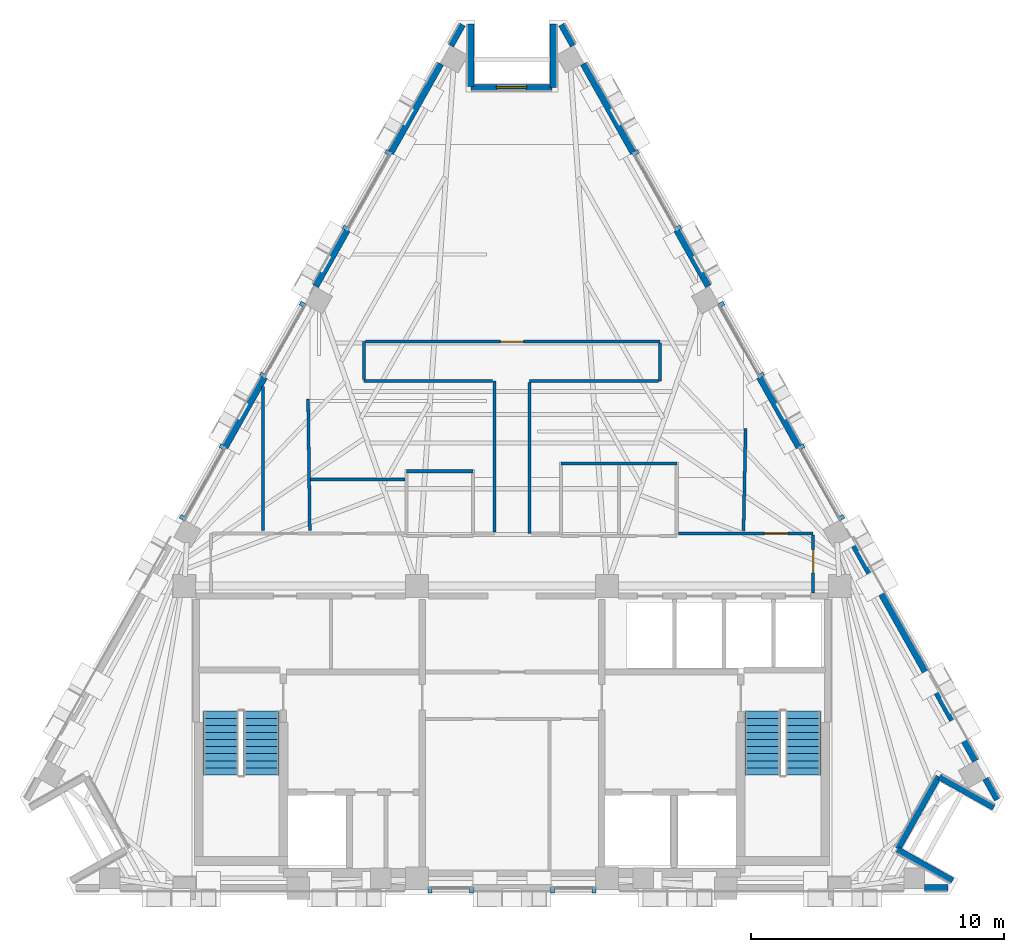
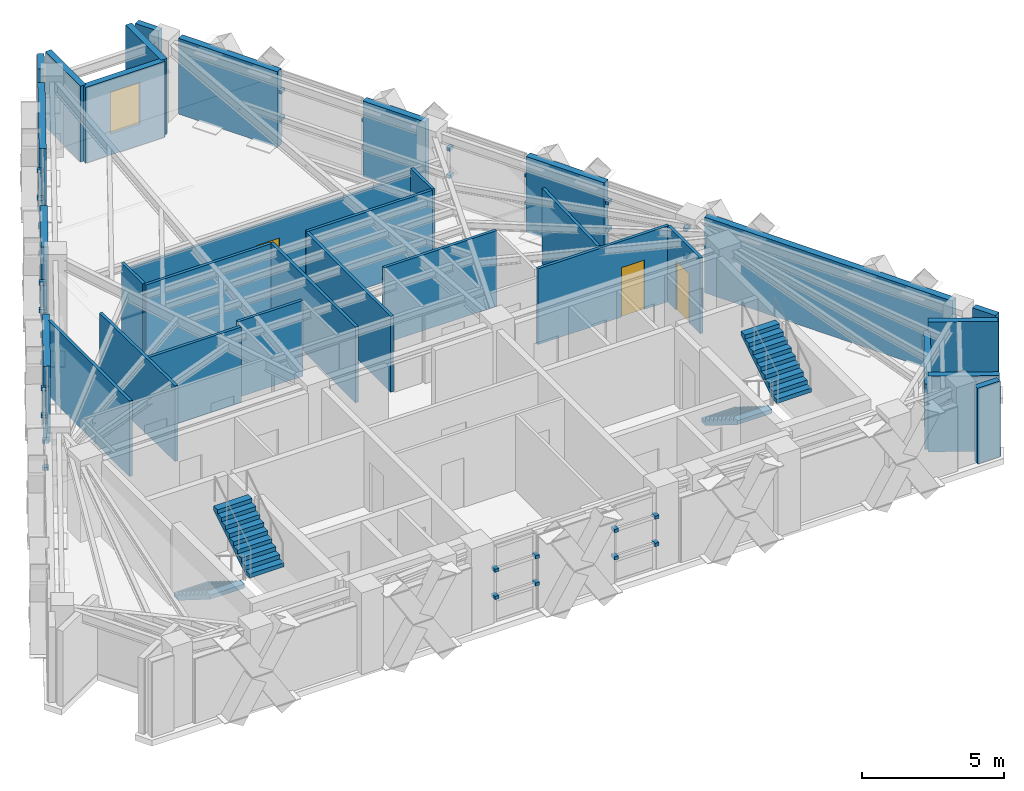
# One storey, part 8 of 11: 32 discrete accessories, 32 walls, 4 stair flights, 3 doors, 1 window, 4 openings, 2 elements without a shape of their own.
"""IFC4 building model written with IfcOpenShell, lengths in metres."""

from ifc_helpers import new_model, si_unit, direction, frame, frame_2d, origin, origin_2d, place, context, subcontext, project, spatial, polyline, rectangle, outline, extrude, material, layer, layer_set, type_object, element, fill, aggregate, save


model = new_model("IFC4")

# Units and contexts
model_context = context("Model", 3, precision=1e-05, world=origin(), true_north=direction((0.0, 1.0)))
body_context = subcontext(model_context, "Body", "Model", "MODEL_VIEW")
ifc_project = project(units=[si_unit("LENGTHUNIT", "METRE"), si_unit("AREAUNIT", "SQUARE_METRE"), si_unit("VOLUMEUNIT", "CUBIC_METRE"), si_unit("PLANEANGLEUNIT", "RADIAN"), si_unit("MASSUNIT", "GRAM", prefix="KILO")], contexts=[model_context])

# Site, building, storey
site_placement = place(None, origin())
site = spatial("IfcSite", under=ifc_project, at=site_placement, CompositionType="ELEMENT")
building_placement = place(site_placement, origin())
building = spatial("IfcBuilding", under=site, at=building_placement, Name="Quenlor Broadcast Tower", CompositionType="ELEMENT")
storey_placement = place(building_placement, frame((0.0, 0.0, 253.39990234375)))
storey = spatial("IfcBuildingStorey", under=building, at=storey_placement, Name="L70", CompositionType="ELEMENT", Elevation=253.39990234375)

# Walls
ifc_material_1 = material(Name="Gypsum Plasterboard Partition", Category="other")
ifc_layer_1 = layer(ifc_material_1, 0.1201171875)
ifc_layer_set_1 = layer_set([ifc_layer_1], Name="Standard Office Partition 120")
wall_type_1 = type_object("IfcWallType", Name="Standard Office Partition 120", PredefinedType="PARTITIONING", material=ifc_layer_set_1)
wall_1_placement = place(storey_placement, frame((-4.159912109375, -0.27001953125, 0.0), z_axis=(0.0, 0.0, 1.0), x_axis=(1.0, 0.0, 0.0)))
element("IfcWall", 1, at=wall_1_placement, inside=storey, type_object=wall_type_1, Name="L70 Interior Wall PW-AWC-N", PredefinedType="PARTITIONING", context=body_context, shape_type="SweptSolid", body=[
    extrude(rectangle(XDim=2.619873046875, YDim=0.1201171875, at=frame_2d((1.31005859375, 0.0))), origin(), (0.0, 0.0, 1.0), 3.25),
])
wall_2_placement = place(storey_placement, frame((1.93994140625, 0.030029296875, 0.0), z_axis=(0.0, 0.0, 1.0), x_axis=(1.0, 0.0, 0.0)))
element("IfcWall", 2, at=wall_2_placement, inside=storey, type_object=wall_type_1, Name="L70 Interior Wall PW-WC-N", PredefinedType="PARTITIONING", context=body_context, shape_type="SweptSolid", body=[
    extrude(rectangle(XDim=4.570068359375, YDim=0.1201171875, at=frame_2d((2.28515625, 0.0))), origin(), (0.0, 0.0, 1.0), 3.25),
])
wall_3_placement = place(storey_placement, frame((-0.699951171875, -2.66796875, 0.0), z_axis=(0.0, 0.0, 1.0), x_axis=(0.0, 1.0, 0.0)))
element("IfcWall", 3, at=wall_3_placement, inside=storey, type_object=wall_type_1, Name="L70 Interior Wall PW-CR-05", PredefinedType="PARTITIONING", context=body_context, shape_type="SweptSolid", body=[
    extrude(rectangle(XDim=5.968017578125, YDim=0.1201171875, at=frame_2d((2.98388671875, 0.0))), origin(), (0.0, 0.0, 1.0), 3.25),
])
wall_4_placement = place(storey_placement, frame((-0.761962890625, 3.300048828125, 0.0), z_axis=(0.0, 0.0, 1.0), x_axis=(-1.0, 0.0, 0.0)))
element("IfcWall", 4, at=wall_4_placement, inside=storey, type_object=wall_type_1, Name="L70 Interior Wall PW-CR-06", PredefinedType="PARTITIONING", context=body_context, shape_type="SweptSolid", body=[
    extrude(rectangle(XDim=5.088134765625, YDim=0.1201171875, at=frame_2d((2.5439453125, 0.0))), origin(), (0.0, 0.0, 1.0), 3.25),
])
wall_5_placement = place(storey_placement, frame((-5.85009765625, 3.362060546875, 0.0), z_axis=(0.0, 0.0, 1.0), x_axis=(0.0, 1.0, 0.0)))
element("IfcWall", 5, at=wall_5_placement, inside=storey, type_object=wall_type_1, Name="L70 Interior Wall PW-CR-07", PredefinedType="PARTITIONING", context=body_context, shape_type="SweptSolid", body=[
    extrude(rectangle(XDim=1.488037109375, YDim=0.1201171875, at=frame_2d((0.744140625, 0.0))), origin(), (0.0, 0.0, 1.0), 3.25),
])

# Wall, opening, door
wall_6_placement = place(storey_placement, frame((-5.7880859375, 4.85009765625, 0.0), z_axis=(0.0, 0.0, 1.0), x_axis=(1.0, 0.0, 0.0)))
wall_6 = element("IfcWall", 6, at=wall_6_placement, inside=storey, type_object=wall_type_1, Name="L70 Interior Wall PW-CR-08", PredefinedType="PARTITIONING", context=body_context, shape_type="SweptSolid", body=[
    extrude(rectangle(XDim=11.63818359375, YDim=0.1201171875, at=frame_2d((5.819091796875, 0.0))), origin(), (0.0, 0.0, 1.0), 2.94287109375),
])
opening_1_placement = place(wall_6_placement, frame((5.327880859375, 0.0, 0.0)))
opening_1 = element("IfcOpeningElement", 7, at=opening_1_placement, cuts=wall_6, Name="Opening ID-1", PredefinedType="OPENING", context=body_context, shape_type="SweptSolid", body=[
    extrude(rectangle(XDim=0.919921875, YDim=2.1201171875, at=frame_2d((0.4599609375, 1.06005859375))), frame((0.0, 0.070068359375, 0.0), z_axis=(0.0, -1.0, 0.0), x_axis=(1.0, 0.0, 0.0)), (0.0, 0.0, 1.0), 0.14013671875),
])
ifc_material_2 = material(Name="Solid Core Timber Oak", Category="wood")
door_type = type_object("IfcDoorType", Name="Single Leaf Timber Office Door 920x2120", OperationType="NOTDEFINED", PredefinedType="DOOR", material=ifc_material_2)
door_1_placement = place(opening_1_placement, origin())
door_1 = element("IfcDoor", 8, at=door_1_placement, inside=storey, type_object=door_type, Name="L70 Door DR-RM01", OperationType="SINGLE_SWING_LEFT", OverallHeight=2.1201171875, OverallWidth=0.919921875, PredefinedType="DOOR", context=body_context, shape_type="SweptSolid", body=[
    extrude(rectangle(XDim=0.919921875, YDim=2.1201171875, at=frame_2d((0.4599609375, 1.06005859375))), frame((0.0, 0.02490234375, 0.0), z_axis=(0.0, -1.0, 0.0), x_axis=(1.0, 0.0, 0.0)), (0.0, 0.0, 1.0), 0.050048828125),
])
fill(opening_1, door_1)

# Walls
wall_7_placement = place(storey_placement, frame((5.85009765625, 4.7880859375, 0.0), z_axis=(0.0, 0.0, 1.0), x_axis=(0.0, -1.0, 0.0)))
element("IfcWall", 9, at=wall_7_placement, inside=storey, type_object=wall_type_1, Name="L70 Interior Wall PW-CR-09", PredefinedType="PARTITIONING", context=body_context, shape_type="SweptSolid", body=[
    extrude(rectangle(XDim=1.488037109375, YDim=0.1201171875, at=frame_2d((0.744140625, 0.0))), origin(), (0.0, 0.0, 1.0), 3.25),
])
wall_8_placement = place(storey_placement, frame((5.7880859375, 3.300048828125, 0.0), z_axis=(0.0, 0.0, 1.0), x_axis=(-1.0, 0.0, 0.0)))
element("IfcWall", 10, at=wall_8_placement, inside=storey, type_object=wall_type_1, Name="L70 Interior Wall PW-CR-10", PredefinedType="PARTITIONING", context=body_context, shape_type="SweptSolid", body=[
    extrude(rectangle(XDim=5.088134765625, YDim=0.1201171875, at=frame_2d((2.5439453125, 0.0))), origin(), (0.0, 0.0, 1.0), 3.25),
])
wall_9_placement = place(storey_placement, frame((0.699951171875, 3.238037109375, 0.0), z_axis=(0.0, 0.0, 1.0), x_axis=(0.0, -1.0, 0.0)))
element("IfcWall", 11, at=wall_9_placement, inside=storey, type_object=wall_type_1, Name="L70 Interior Wall PW-CR-11", PredefinedType="PARTITIONING", context=body_context, shape_type="SweptSolid", body=[
    extrude(rectangle(XDim=5.968017578125, YDim=0.1201171875, at=frame_2d((2.98388671875, 0.0))), origin(), (0.0, 0.0, 1.0), 3.25),
])

# Wall, opening, door
wall_10_placement = place(storey_placement, frame((6.572021484375, -2.72998046875, 0.0), z_axis=(0.0, 0.0, 1.0), x_axis=(1.0, 0.0, 0.0)))
wall_10 = element("IfcWall", 12, at=wall_10_placement, inside=storey, type_object=wall_type_1, Name="L70 Interior Wall PW-CR-14", PredefinedType="PARTITIONING", context=body_context, shape_type="SweptSolid", body=[
    extrude(rectangle(XDim=5.327880859375, YDim=0.1201171875, at=frame_2d((2.6640625, 0.0))), origin(), (0.0, 0.0, 1.0), 3.25),
])
opening_2_placement = place(wall_10_placement, frame((3.404052734375, 0.0, 0.0)))
opening_2 = element("IfcOpeningElement", 13, at=opening_2_placement, cuts=wall_10, Name="Opening ID-1", PredefinedType="OPENING", context=body_context, shape_type="SweptSolid", body=[
    extrude(rectangle(XDim=0.919921875, YDim=2.1201171875, at=frame_2d((0.4599609375, 1.06005859375))), frame((0.0, 0.070068359375, 0.0), z_axis=(0.0, -1.0, 0.0), x_axis=(1.0, 0.0, 0.0)), (0.0, 0.0, 1.0), 0.14013671875),
])
door_2_placement = place(opening_2_placement, origin())
door_2 = element("IfcDoor", 14, at=door_2_placement, inside=storey, type_object=door_type, Name="L70 Door DR-RM03", OperationType="SINGLE_SWING_LEFT", OverallHeight=2.1201171875, OverallWidth=0.919921875, PredefinedType="DOOR", context=body_context, shape_type="SweptSolid", body=[
    extrude(rectangle(XDim=0.919921875, YDim=2.1201171875, at=frame_2d((0.4599609375, 1.06005859375))), frame((0.0, 0.02490234375, 0.0), z_axis=(0.0, -1.0, 0.0), x_axis=(1.0, 0.0, 0.0)), (0.0, 0.0, 1.0), 0.050048828125),
])
fill(opening_2, door_2)

wall_11_placement = place(storey_placement, frame((11.89990234375, -2.7919921875, 0.0), z_axis=(0.0, 0.0, 1.0), x_axis=(0.0, -1.0, 0.0)))
wall_11 = element("IfcWall", 15, at=wall_11_placement, inside=storey, type_object=wall_type_1, Name="L70 Interior Wall PW-CR-15", PredefinedType="PARTITIONING", context=body_context, shape_type="SweptSolid", body=[
    extrude(rectangle(XDim=2.281005859375, YDim=0.1201171875, at=frame_2d((1.140625, 0.0))), origin(), (0.0, 0.0, 1.0), 3.25),
])
opening_3_placement = place(wall_11_placement, frame((0.577880859375, 0.0, 0.0)))
opening_3 = element("IfcOpeningElement", 16, at=opening_3_placement, cuts=wall_11, Name="Opening ID-1", PredefinedType="OPENING", context=body_context, shape_type="SweptSolid", body=[
    extrude(rectangle(XDim=0.919921875, YDim=2.1201171875, at=frame_2d((0.4599609375, 1.06005859375))), frame((0.0, 0.070068359375, 0.0), z_axis=(0.0, -1.0, 0.0), x_axis=(1.0, 0.0, 0.0)), (0.0, 0.0, 1.0), 0.14013671875),
])
door_3_placement = place(opening_3_placement, origin())
door_3 = element("IfcDoor", 17, at=door_3_placement, inside=storey, type_object=door_type, Name="L70 Door DR-RM06", OperationType="SINGLE_SWING_RIGHT", OverallHeight=2.1201171875, OverallWidth=0.919921875, PredefinedType="DOOR", context=body_context, shape_type="SweptSolid", body=[
    extrude(rectangle(XDim=0.919921875, YDim=2.1201171875, at=frame_2d((0.4599609375, 1.06005859375))), frame((0.0, 0.02490234375, 0.0), z_axis=(0.0, -1.0, 0.0), x_axis=(1.0, 0.0, 0.0)), (0.0, 0.0, 1.0), 0.050048828125),
])
fill(opening_3, door_3)

# Walls
wall_12_placement = place(storey_placement, frame((-7.988525390625, -2.6201171875, 0.0), z_axis=(0.0, 0.0, 1.0), x_axis=(-0.013050531691, 0.999914838185, 0.0)))
element("IfcWall", 18, at=wall_12_placement, inside=storey, type_object=wall_type_1, Name="L70 Interior Wall PW-DV-01", PredefinedType="PARTITIONING", context=body_context, shape_type="SweptSolid", body=[
    extrude(rectangle(XDim=5.20068359375, YDim=0.1201171875, at=frame_2d((2.600341796875, 0.0))), origin(), (0.0, 0.0, 1.0), 3.25),
])
wall_13_placement = place(storey_placement, frame((9.232177734375, 1.419921875, 0.0), z_axis=(0.0, 0.0, 1.0), x_axis=(-0.020904302181, -0.9997814812, 0.0)))
element("IfcWall", 19, at=wall_13_placement, inside=storey, type_object=wall_type_1, Name="L70 Interior Wall PW-DV-02", PredefinedType="PARTITIONING", context=body_context, shape_type="SweptSolid", body=[
    extrude(rectangle(XDim=4.041015625, YDim=0.1201171875, at=frame_2d((2.0205078125, 0.0))), origin(), (0.0, 0.0, 1.0), 3.25),
])
wall_14_placement = place(storey_placement, frame((-4.221923828125, -0.59326171875, 0.0), z_axis=(0.0, 0.0, 1.0), x_axis=(-1.0, 0.0, 0.0)))
element("IfcWall", 20, at=wall_14_placement, inside=storey, type_object=wall_type_1, Name="L70 Interior Wall PW-DV-03", PredefinedType="PARTITIONING", context=body_context, shape_type="SweptSolid", body=[
    extrude(rectangle(XDim=3.73095703125, YDim=0.1201171875, at=frame_2d((1.865478515625, 0.0))), origin(), (0.0, 0.0, 1.0), 3.25),
])
wall_15_placement = place(storey_placement, frame((-9.837890625, -2.6201171875, 0.0), z_axis=(0.0, 0.0, 1.0), x_axis=(0.0, 1.0, 0.0)))
element("IfcWall", 21, at=wall_15_placement, inside=storey, type_object=wall_type_1, Name="L70 Interior Wall PW-DV-05", PredefinedType="PARTITIONING", context=body_context, shape_type="SweptSolid", body=[
    extrude(rectangle(XDim=5.700439453125, YDim=0.1201171875, at=frame_2d((2.85009765625, 0.0))), origin(), (0.0, 0.0, 1.0), 3.25),
])
ifc_material_3 = material(Name="Precast concrete C40/50", Category="concrete")
ifc_layer_2 = layer(ifc_material_3, 0.239990234375)
ifc_layer_set_2 = layer_set([ifc_layer_2], Name="Terrace Threshold Precast Concrete C40/50 Wall 240")
wall_type_2 = type_object("IfcWallType", Name="Terrace Threshold Precast Concrete C40/50 Wall 240", PredefinedType="STANDARD", material=ifc_layer_set_2)
wall_16_placement = place(storey_placement, frame((17.219970703125, -16.72509765625, 0.0), z_axis=(0.0, 0.0, 1.0), x_axis=(-1.0, 0.0, 0.0)))
element("IfcWall", 22, at=wall_16_placement, inside=storey, type_object=wall_type_2, Name="L70 Exterior Wall L70-SHD-SS0", PredefinedType="STANDARD", context=body_context, shape_type="SweptSolid", body=[
    extrude(rectangle(XDim=0.91748046875, YDim=0.239990234375, at=frame_2d((0.458740234375, 0.0))), origin(), (0.0, 0.0, 1.0), 3.25),
])
for number, where, z_axis, x_axis, name in (
    (23, (1.94970703125, 17.372802734375, 0.0), (0.0, 0.0, 1.0), (0.490199895283, -0.871610040479, 0.0), "L70 Exterior Wall L70-SHD-NES0"),
    (24, (18.707763671875, -12.4189453125, 0.0), (0.0, 0.0, 1.0), (0.490199895283, -0.871610040479, 0.0), "L70 Exterior Wall L70-SHD-NES1"),
    (25, (-2.412841796875, 16.54931640625, 0.0), (0.0, 0.0, 1.0), (0.490199895283, 0.871610040479, 0.0), "L70 Exterior Wall L70-SHD-NWS1"),
):
    element("IfcWall", number, at=place(storey_placement, frame(where, z_axis=z_axis, x_axis=x_axis)), inside=storey, type_object=wall_type_2, Name=name, PredefinedType="STANDARD", context=body_context, shape_type="SweptSolid", body=[
        extrude(rectangle(XDim=0.94482421875, YDim=0.239990234375, at=frame_2d((0.472412109375, 0.0))), origin(), (0.0, 0.0, 1.0), 3.25),
    ])
wall_17_placement = place(storey_placement, frame((17.40771484375, -16.446533203125, 0.0), z_axis=(0.0, 0.0, 1.0), x_axis=(-0.871588577066, 0.490238056792, 0.0)))
element("IfcWall", 26, at=wall_17_placement, inside=storey, type_object=wall_type_2, Name="L70 Exterior Wall L70-CNR-01", PredefinedType="STANDARD", context=body_context, shape_type="SweptSolid", body=[
    extrude(rectangle(XDim=2.5, YDim=0.239990234375, at=frame_2d((1.25, 0.0))), origin(), (0.0, 0.0, 1.0), 3.25),
])
wall_18_placement = place(storey_placement, frame((15.248291015625, -15.18603515625, 0.0), z_axis=(0.0, 0.0, 1.0), x_axis=(0.490293083368, 0.871557624258, 0.0)))
element("IfcWall", 27, at=wall_18_placement, inside=storey, type_object=wall_type_2, Name="L70 Exterior Wall L70-CNR-02", PredefinedType="STANDARD", context=body_context, shape_type="SweptSolid", body=[
    extrude(rectangle(XDim=3.276123046875, YDim=0.239990234375, at=frame_2d((1.63818359375, 0.0))), origin(), (0.0, 0.0, 1.0), 2.789794921875),
])
wall_19_placement = place(storey_placement, frame((16.889404296875, -12.350341796875, 0.0), z_axis=(0.0, 0.0, 1.0), x_axis=(0.87157023615, -0.490270663468, 0.0)))
element("IfcWall", 28, at=wall_19_placement, inside=storey, type_object=wall_type_2, Name="L70 Exterior Wall L70-CNR-03", PredefinedType="STANDARD", context=body_context, shape_type="SweptSolid", body=[
    extrude(rectangle(XDim=2.4599609375, YDim=0.239990234375, at=frame_2d((1.22998046875, 0.0))), origin(), (0.0, 0.0, 1.0), 3.25),
])
wall_20_placement = place(storey_placement, frame((1.62890625, 17.39990234375, 0.0), z_axis=(0.0, 0.0, 1.0), x_axis=(0.0, -1.0, 0.0)))
element("IfcWall", 29, at=wall_20_placement, inside=storey, type_object=wall_type_2, Name="L70 Exterior Wall L70-CNR-07", PredefinedType="STANDARD", context=body_context, shape_type="SweptSolid", body=[
    extrude(rectangle(XDim=2.5, YDim=0.239990234375, at=frame_2d((1.25, 0.0))), origin(), (0.0, 0.0, 1.0), 3.25),
])

# Wall, opening, window
wall_21_placement = place(storey_placement, frame((1.5888671875, 14.89990234375, 0.0), z_axis=(0.0, 0.0, 1.0), x_axis=(-1.0, 0.0, 0.0)))
wall_21 = element("IfcWall", 30, at=wall_21_placement, inside=storey, type_object=wall_type_2, Name="L70 Exterior Wall L70-CNR-08", PredefinedType="STANDARD", context=body_context, shape_type="SweptSolid", body=[
    extrude(rectangle(XDim=3.2177734375, YDim=0.239990234375, at=frame_2d((1.60888671875, 0.0))), origin(), (0.0, 0.0, 1.0), 3.25),
])
opening_4_placement = place(wall_21_placement, frame((1.009033203125, 0.0, 0.89990234375)))
opening_4 = element("IfcOpeningElement", 31, at=opening_4_placement, cuts=wall_21, Name="Opening WN-5", PredefinedType="OPENING", context=body_context, shape_type="SweptSolid", body=[
    extrude(rectangle(XDim=1.199951171875, YDim=1.800048828125, at=frame_2d((0.60009765625, 0.89990234375))), frame((0.0, 0.1298828125, 0.0), z_axis=(0.0, -1.0, 0.0), x_axis=(1.0, 0.0, 0.0)), (0.0, 0.0, 1.0), 0.260009765625),
])
ifc_material_4 = material(Name="Thermally Broken Aluminium and Low-E Glass", Category="aluminium")
window_type = type_object("IfcWindowType", Name="Corner Chamfer Punched Window 1200x1800", PartitioningType="SINGLE_PANEL", PredefinedType="WINDOW", material=ifc_material_4)
window_placement = place(opening_4_placement, origin())
window = element("IfcWindow", 32, at=window_placement, inside=storey, type_object=window_type, Name="L70 Corner Chamfer Window 8", OverallHeight=1.800048828125, OverallWidth=1.199951171875, PartitioningType="SINGLE_PANEL", PredefinedType="WINDOW", context=body_context, shape_type="SweptSolid", body=[
    extrude(rectangle(XDim=1.199951171875, YDim=1.800048828125, at=frame_2d((0.60009765625, 0.89990234375))), frame((0.0, 0.030029296875, 0.0), z_axis=(0.0, -1.0, 0.0), x_axis=(1.0, 0.0, 0.0)), (0.0, 0.0, 1.0), 0.06005859375),
])
fill(opening_4, window)

# Walls
wall_22_placement = place(storey_placement, frame((-1.62890625, 14.93994140625, 0.0), z_axis=(0.0, 0.0, 1.0), x_axis=(0.0, 1.0, 0.0)))
element("IfcWall", 33, at=wall_22_placement, inside=storey, type_object=wall_type_2, Name="L70 Exterior Wall L70-CNR-09", PredefinedType="STANDARD", context=body_context, shape_type="SweptSolid", body=[
    extrude(rectangle(XDim=2.4599609375, YDim=0.239990234375, at=frame_2d((1.22998046875, 0.0))), origin(), (0.0, 0.0, 1.0), 3.25),
])
ifc_material_5 = material(Name="Precast concrete C40/50", Category="concrete")
ifc_layer_3 = layer(ifc_material_5, 0.260009765625)
ifc_layer_set_3 = layer_set([ifc_layer_3], Name="Terracotta Precast Concrete C40/50 Upper Wall 260")
wall_type_3 = type_object("IfcWallType", Name="Terracotta Precast Concrete C40/50 Upper Wall 260", PredefinedType="STANDARD", material=ifc_layer_set_3)
wall_23_placement = place(storey_placement, frame((2.81982421875, 15.825927734375, 0.0), z_axis=(0.0, 0.0, 1.0), x_axis=(0.490307113915, -0.871549731251, 0.0)))
element("IfcWall", 34, at=wall_23_placement, inside=storey, type_object=wall_type_3, Name="L70 Exterior Wall L70-NEA-SP1", PredefinedType="STANDARD", context=body_context, shape_type="SweptSolid", body=[
    extrude(rectangle(XDim=4.042724609375, YDim=0.260009765625, at=frame_2d((2.021484375, 0.0))), origin(), (0.0, 0.0, 1.0), 3.25),
])
wall_24_placement = place(storey_placement, frame((6.509521484375, 9.266357421875, 0.0), z_axis=(0.0, 0.0, 1.0), x_axis=(0.490333959365, -0.871534628281, 0.0)))
element("IfcWall", 35, at=wall_24_placement, inside=storey, type_object=wall_type_3, Name="L70 Exterior Wall L70-NEA-SP2", PredefinedType="STANDARD", context=body_context, shape_type="SweptSolid", body=[
    extrude(rectangle(XDim=2.55029296875, YDim=0.260009765625, at=frame_2d((1.275146484375, 0.0))), origin(), (0.0, 0.0, 1.0), 3.25),
])
wall_25_placement = place(storey_placement, frame((13.350830078125, -2.895751953125, 0.0), z_axis=(0.0, 0.0, 1.0), x_axis=(0.490266968583, -0.871572314565, 0.0)))
element("IfcWall", 36, at=wall_25_placement, inside=storey, type_object=wall_type_3, Name="L70 Exterior Wall L70-EW-NEC", PredefinedType="STANDARD", context=body_context, shape_type="SweptSolid", body=[
    extrude(rectangle(XDim=10.116455078125, YDim=0.260009765625, at=frame_2d((5.05810546875, 0.0))), origin(), (0.0, 0.0, 1.0), 3.25),
])
wall_26_placement = place(storey_placement, frame((9.779296875, 3.45361328125, 0.0), z_axis=(0.0, 0.0, 1.0), x_axis=(0.490268515903, -0.871571444182, 0.0)))
element("IfcWall", 37, at=wall_26_placement, inside=storey, type_object=wall_type_3, Name="L70 Exterior Wall L70-NE-SP1", PredefinedType="STANDARD", context=body_context, shape_type="SweptSolid", body=[
    extrude(rectangle(XDim=3.18603515625, YDim=0.260009765625, at=frame_2d((1.593017578125, 0.0))), origin(), (0.0, 0.0, 1.0), 3.25),
])
wall_27_placement = place(storey_placement, frame((-7.760009765625, 7.043701171875, 0.0), z_axis=(0.0, 0.0, 1.0), x_axis=(0.490333959365, 0.871534628281, 0.0)))
element("IfcWall", 38, at=wall_27_placement, inside=storey, type_object=wall_type_3, Name="L70 Exterior Wall L70-NWC-SP1", PredefinedType="STANDARD", context=body_context, shape_type="SweptSolid", body=[
    extrude(rectangle(XDim=2.55029296875, YDim=0.260009765625, at=frame_2d((1.275146484375, 0.0))), origin(), (0.0, 0.0, 1.0), 3.25),
])
wall_28_placement = place(storey_placement, frame((-4.802001953125, 12.302490234375, 0.0), z_axis=(0.0, 0.0, 1.0), x_axis=(0.490307113915, 0.871549731251, 0.0)))
element("IfcWall", 39, at=wall_28_placement, inside=storey, type_object=wall_type_3, Name="L70 Exterior Wall L70-NWC-SP2", PredefinedType="STANDARD", context=body_context, shape_type="SweptSolid", body=[
    extrude(rectangle(XDim=4.042724609375, YDim=0.260009765625, at=frame_2d((2.021484375, 0.0))), origin(), (0.0, 0.0, 1.0), 3.25),
])
wall_29_placement = place(storey_placement, frame((-11.34130859375, 0.6767578125, 0.0), z_axis=(0.0, 0.0, 1.0), x_axis=(0.490268515903, 0.871571444182, 0.0)))
element("IfcWall", 40, at=wall_29_placement, inside=storey, type_object=wall_type_3, Name="L70 Exterior Wall L70-NW-SP1", PredefinedType="STANDARD", context=body_context, shape_type="SweptSolid", body=[
    extrude(rectangle(XDim=3.18603515625, YDim=0.260009765625, at=frame_2d((1.593017578125, 0.0))), origin(), (0.0, 0.0, 1.0), 3.25),
])

# Stair, stair flights
ifc_material_6 = material(Name="Precast concrete C40/50", Category="concrete")
stair_type = type_object("IfcStairType", Name="Precast Concrete C40/50 Dogleg Stair H350", PredefinedType="HALF_TURN_STAIR", material=ifc_material_6)
stair_1_placement = place(storey_placement, origin())
stair_1 = element("IfcStair", 41, at=stair_1_placement, inside=storey, type_object=stair_type, Name="L70 West Core Fire-Isolated Exit Stair ST-1", PredefinedType="HALF_TURN_STAIR")
ifc_material_7 = material(Name="Precast concrete C40/50", Category="concrete")
ifc_layer_4 = layer(ifc_material_7, 0.159912109375)
ifc_layer_set_4 = layer_set([ifc_layer_4], Name="Precast Concrete C40/50 Stair Flight H350")
stair_flight_type = type_object("IfcStairFlightType", Name="Precast Concrete C40/50 Stair Flight H350", PredefinedType="STRAIGHT", material=ifc_layer_set_4)
stair_flight_1_placement = place(storey_placement, frame((-11.5, -9.75, 0.0), z_axis=(0.0, 0.0, 1.0), x_axis=(0.0, -1.0, 0.0)))
stair_flight_1 = element("IfcStairFlight", 42, at=stair_flight_1_placement, type_object=stair_flight_type, Name="ST-1 flight 1", NumberOfRisers=10, NumberOfTreads=9, PredefinedType="STRAIGHT", RiserHeight=0.175, TreadLength=0.28, context=body_context, shape_type="SweptSolid", body=[
    extrude(outline(polyline([(0.0, 0.0), (0.0, 0.175048828125), (0.280029296875, 0.175048828125), (0.280029296875, 0.35009765625), (0.56005859375, 0.35009765625), (0.56005859375, 0.52490234375), (0.840087890625, 0.52490234375), (0.840087890625, 0.699951171875), (1.1201171875, 0.699951171875), (1.1201171875, 0.875), (1.39990234375, 0.875), (1.39990234375, 1.050048828125), (1.679931640625, 1.050048828125), (1.679931640625, 1.22509765625), (1.9599609375, 1.22509765625), (1.9599609375, 1.39990234375), (2.239990234375, 1.39990234375), (2.239990234375, 1.574951171875), (2.52001953125, 1.574951171875), (2.52001953125, 1.75), (2.52001953125, 1.398193359375), (0.28271484375, 0.0), (0.0, 0.0)])), frame((0.0, 0.699951171875, 0.0), z_axis=(0.0, -1.0, 0.0), x_axis=(1.0, 0.0, 0.0)), (0.0, 0.0, 1.0), 1.39990234375),
])
stair_flight_2_placement = place(storey_placement, frame((-9.89990234375, -12.27001953125, 1.75), z_axis=(0.0, 0.0, 1.0), x_axis=(0.0, 1.0, 0.0)))
stair_flight_2 = element("IfcStairFlight", 43, at=stair_flight_2_placement, type_object=stair_flight_type, Name="ST-1 flight 2", NumberOfRisers=10, NumberOfTreads=9, PredefinedType="STRAIGHT", RiserHeight=0.175, TreadLength=0.28, context=body_context, shape_type="SweptSolid", body=[
    extrude(outline(polyline([(0.0, 0.0), (0.0, 0.175048828125), (0.280029296875, 0.175048828125), (0.280029296875, 0.35009765625), (0.56005859375, 0.35009765625), (0.56005859375, 0.52490234375), (0.840087890625, 0.52490234375), (0.840087890625, 0.699951171875), (1.1201171875, 0.699951171875), (1.1201171875, 0.875), (1.39990234375, 0.875), (1.39990234375, 1.050048828125), (1.679931640625, 1.050048828125), (1.679931640625, 1.22509765625), (1.9599609375, 1.22509765625), (1.9599609375, 1.39990234375), (2.239990234375, 1.39990234375), (2.239990234375, 1.574951171875), (2.52001953125, 1.574951171875), (2.52001953125, 1.75), (2.52001953125, 1.398193359375), (0.28271484375, 0.0), (0.0, 0.0)])), frame((0.0, 0.699951171875, 0.0), z_axis=(0.0, -1.0, 0.0), x_axis=(1.0, 0.0, 0.0)), (0.0, 0.0, 1.0), 1.39990234375),
])
aggregate(stair_1, [stair_flight_1, stair_flight_2])

stair_2_placement = place(storey_placement, origin())
stair_2 = element("IfcStair", 44, at=stair_2_placement, inside=storey, type_object=stair_type, Name="L70 East Core Fire-Isolated Exit Stair ST-2", PredefinedType="HALF_TURN_STAIR")
stair_flight_3_placement = place(storey_placement, frame((9.89990234375, -9.75, 0.0), z_axis=(0.0, 0.0, 1.0), x_axis=(0.0, -1.0, 0.0)))
stair_flight_3 = element("IfcStairFlight", 45, at=stair_flight_3_placement, type_object=stair_flight_type, Name="ST-2 flight 1", NumberOfRisers=10, NumberOfTreads=9, PredefinedType="STRAIGHT", RiserHeight=0.175, TreadLength=0.28, context=body_context, shape_type="SweptSolid", body=[
    extrude(outline(polyline([(0.0, 0.0), (0.0, 0.175048828125), (0.280029296875, 0.175048828125), (0.280029296875, 0.35009765625), (0.56005859375, 0.35009765625), (0.56005859375, 0.52490234375), (0.840087890625, 0.52490234375), (0.840087890625, 0.699951171875), (1.1201171875, 0.699951171875), (1.1201171875, 0.875), (1.39990234375, 0.875), (1.39990234375, 1.050048828125), (1.679931640625, 1.050048828125), (1.679931640625, 1.22509765625), (1.9599609375, 1.22509765625), (1.9599609375, 1.39990234375), (2.239990234375, 1.39990234375), (2.239990234375, 1.574951171875), (2.52001953125, 1.574951171875), (2.52001953125, 1.75), (2.52001953125, 1.398193359375), (0.28271484375, 0.0), (0.0, 0.0)])), frame((0.0, 0.699951171875, 0.0), z_axis=(0.0, -1.0, 0.0), x_axis=(1.0, 0.0, 0.0)), (0.0, 0.0, 1.0), 1.39990234375),
])
stair_flight_4_placement = place(storey_placement, frame((11.5, -12.27001953125, 1.75), z_axis=(0.0, 0.0, 1.0), x_axis=(0.0, 1.0, 0.0)))
stair_flight_4 = element("IfcStairFlight", 46, at=stair_flight_4_placement, type_object=stair_flight_type, Name="ST-2 flight 2", NumberOfRisers=10, NumberOfTreads=9, PredefinedType="STRAIGHT", RiserHeight=0.175, TreadLength=0.28, context=body_context, shape_type="SweptSolid", body=[
    extrude(outline(polyline([(0.0, 0.0), (0.0, 0.175048828125), (0.280029296875, 0.175048828125), (0.280029296875, 0.35009765625), (0.56005859375, 0.35009765625), (0.56005859375, 0.52490234375), (0.840087890625, 0.52490234375), (0.840087890625, 0.699951171875), (1.1201171875, 0.699951171875), (1.1201171875, 0.875), (1.39990234375, 0.875), (1.39990234375, 1.050048828125), (1.679931640625, 1.050048828125), (1.679931640625, 1.22509765625), (1.9599609375, 1.22509765625), (1.9599609375, 1.39990234375), (2.239990234375, 1.39990234375), (2.239990234375, 1.574951171875), (2.52001953125, 1.574951171875), (2.52001953125, 1.75), (2.52001953125, 1.398193359375), (0.28271484375, 0.0), (0.0, 0.0)])), frame((0.0, 0.699951171875, 0.0), z_axis=(0.0, -1.0, 0.0), x_axis=(1.0, 0.0, 0.0)), (0.0, 0.0, 1.0), 1.39990234375),
])
aggregate(stair_2, [stair_flight_3, stair_flight_4])

# Discrete accessories
ifc_material_8 = material(Name="Aluminium 6063-T6", Category="aluminium")
discrete_accessory_type = type_object("IfcDiscreteAccessoryType", Name="Stainless Mullion Baguette Support Bracket", PredefinedType="BRACKET", material=ifc_material_8)
for number, where, z_axis, x_axis, name in (
    (47, (3.24755859375, -16.81005859375, 1.10009765625), (0.0, 0.0, 1.0), (-1.0, 0.0, 0.0), "L70 Baguette Mullion Bracket 1.1"),
    (48, (1.60400390625, -16.81005859375, 1.10009765625), (0.0, 0.0, 1.0), (-1.0, 0.0, 0.0), "L70 Baguette Mullion Bracket 1.2"),
    (49, (3.24755859375, -16.81005859375, 2.27001953125), (0.0, 0.0, 1.0), (-1.0, 0.0, 0.0), "L70 Baguette Mullion Bracket 2.1"),
    (50, (1.60400390625, -16.81005859375, 2.27001953125), (0.0, 0.0, 1.0), (-1.0, 0.0, 0.0), "L70 Baguette Mullion Bracket 2.2"),
    (51, (-1.60400390625, -16.81005859375, 1.10009765625), (0.0, 0.0, 1.0), (-1.0, 0.0, 0.0), "L70 Baguette Mullion Bracket 1.1"),
    (52, (-3.24755859375, -16.81005859375, 1.10009765625), (0.0, 0.0, 1.0), (-1.0, 0.0, 0.0), "L70 Baguette Mullion Bracket 1.2"),
    (53, (-1.60400390625, -16.81005859375, 2.27001953125), (0.0, 0.0, 1.0), (-1.0, 0.0, 0.0), "L70 Baguette Mullion Bracket 2.1"),
    (54, (-3.24755859375, -16.81005859375, 2.27001953125), (0.0, 0.0, 1.0), (-1.0, 0.0, 0.0), "L70 Baguette Mullion Bracket 2.2"),
    (55, (4.891845703125, 12.315673828125, 1.10009765625), (0.0, 0.0, 1.0), (0.490249776801, -0.871581984868, 0.0), "L70 Baguette Mullion Bracket 1.1"),
    (56, (6.56787109375, 9.33642578125, 1.10009765625), (0.0, 0.0, 1.0), (0.490249776801, -0.871581984868, 0.0), "L70 Baguette Mullion Bracket 1.2"),
    (57, (4.891845703125, 12.315673828125, 2.27001953125), (0.0, 0.0, 1.0), (0.490249776801, -0.871581984868, 0.0), "L70 Baguette Mullion Bracket 2.1"),
    (58, (6.56787109375, 9.33642578125, 2.27001953125), (0.0, 0.0, 1.0), (0.490249776801, -0.871581984868, 0.0), "L70 Baguette Mullion Bracket 2.2"),
    (59, (8.26416015625, 6.3203125, 1.10009765625), (0.0, 0.0, 1.0), (0.490261946333, -0.871575139605, 0.0), "L70 Baguette Mullion Bracket 1.1"),
    (60, (9.83740234375, 3.523681640625, 1.10009765625), (0.0, 0.0, 1.0), (0.490261946333, -0.871575139605, 0.0), "L70 Baguette Mullion Bracket 1.2"),
    (61, (8.26416015625, 6.3203125, 2.27001953125), (0.0, 0.0, 1.0), (0.490261946333, -0.871575139605, 0.0), "L70 Baguette Mullion Bracket 2.1"),
    (62, (9.83740234375, 3.523681640625, 2.27001953125), (0.0, 0.0, 1.0), (0.490261946333, -0.871575139605, 0.0), "L70 Baguette Mullion Bracket 2.2"),
    (63, (11.431396484375, 0.690185546875, 1.10009765625), (0.0, 0.0, 1.0), (0.490261946333, -0.871575139605, 0.0), "L70 Baguette Mullion Bracket 1.1"),
    (64, (13.004638671875, -2.106689453125, 1.10009765625), (0.0, 0.0, 1.0), (0.490261946333, -0.871575139605, 0.0), "L70 Baguette Mullion Bracket 1.2"),
    (65, (11.431396484375, 0.690185546875, 2.27001953125), (0.0, 0.0, 1.0), (0.490261946333, -0.871575139605, 0.0), "L70 Baguette Mullion Bracket 2.1"),
    (66, (13.004638671875, -2.106689453125, 2.27001953125), (0.0, 0.0, 1.0), (0.490261946333, -0.871575139605, 0.0), "L70 Baguette Mullion Bracket 2.2"),
    (67, (-6.56787109375, 9.33642578125, 1.10009765625), (0.0, 0.0, 1.0), (0.490249776801, 0.871581984868, 0.0), "L70 Baguette Mullion Bracket 1.1"),
    (68, (-4.891845703125, 12.315673828125, 1.10009765625), (0.0, 0.0, 1.0), (0.490249776801, 0.871581984868, 0.0), "L70 Baguette Mullion Bracket 1.2"),
    (69, (-6.56787109375, 9.33642578125, 2.27001953125), (0.0, 0.0, 1.0), (0.490249776801, 0.871581984868, 0.0), "L70 Baguette Mullion Bracket 2.1"),
    (70, (-4.891845703125, 12.315673828125, 2.27001953125), (0.0, 0.0, 1.0), (0.490249776801, 0.871581984868, 0.0), "L70 Baguette Mullion Bracket 2.2"),
    (71, (-13.004638671875, -2.106689453125, 1.10009765625), (0.0, 0.0, 1.0), (0.490261946333, 0.871575139605, 0.0), "L70 Baguette Mullion Bracket 1.1"),
    (72, (-11.431396484375, 0.690185546875, 1.10009765625), (0.0, 0.0, 1.0), (0.490261946333, 0.871575139605, 0.0), "L70 Baguette Mullion Bracket 1.2"),
    (73, (-13.004638671875, -2.106689453125, 2.27001953125), (0.0, 0.0, 1.0), (0.490261946333, 0.871575139605, 0.0), "L70 Baguette Mullion Bracket 2.1"),
    (74, (-11.431396484375, 0.690185546875, 2.27001953125), (0.0, 0.0, 1.0), (0.490261946333, 0.871575139605, 0.0), "L70 Baguette Mullion Bracket 2.2"),
    (75, (-9.83740234375, 3.523681640625, 1.10009765625), (0.0, 0.0, 1.0), (0.490261946333, 0.871575139605, 0.0), "L70 Baguette Mullion Bracket 1.1"),
    (76, (-8.26416015625, 6.3203125, 1.10009765625), (0.0, 0.0, 1.0), (0.490261946333, 0.871575139605, 0.0), "L70 Baguette Mullion Bracket 1.2"),
    (77, (-9.83740234375, 3.523681640625, 2.27001953125), (0.0, 0.0, 1.0), (0.490261946333, 0.871575139605, 0.0), "L70 Baguette Mullion Bracket 2.1"),
    (78, (-8.26416015625, 6.3203125, 2.27001953125), (0.0, 0.0, 1.0), (0.490261946333, 0.871575139605, 0.0), "L70 Baguette Mullion Bracket 2.2"),
):
    element("IfcDiscreteAccessory", number, at=place(storey_placement, frame(where, z_axis=z_axis, x_axis=x_axis)), inside=storey, type_object=discrete_accessory_type, Name=name, PredefinedType="BRACKET", context=body_context, shape_type="SweptSolid", body=[
        extrude(rectangle(XDim=0.159912109375, YDim=0.239990234375, at=origin_2d()), origin(), (0.0, 0.0, 1.0), 0.139892578125),
    ])

save(model, "model.ifc")
